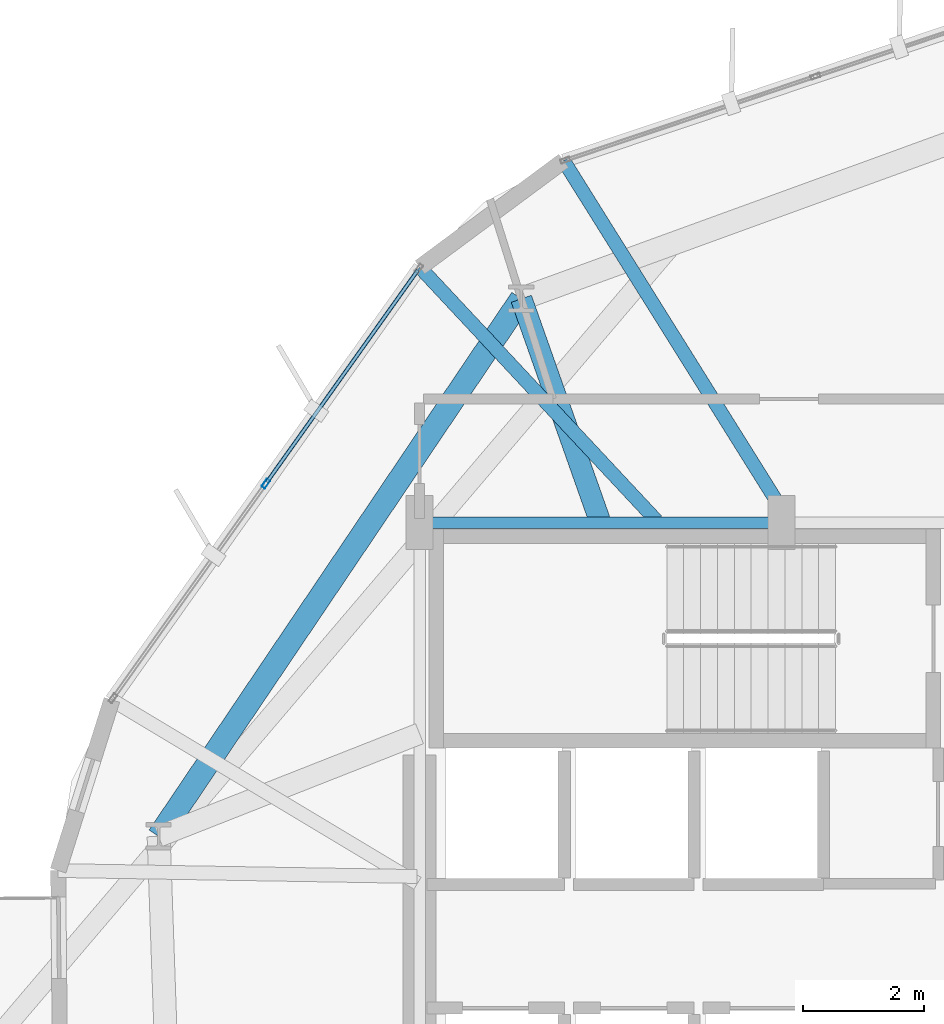
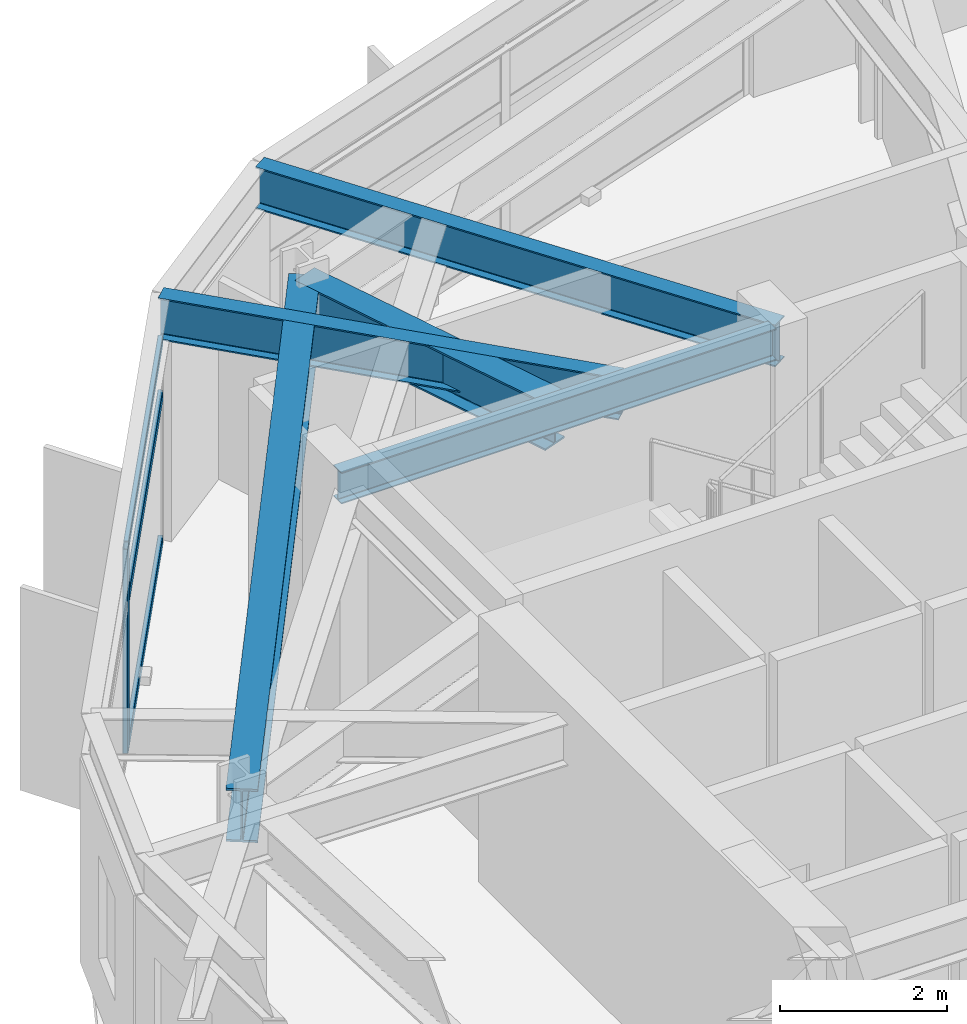
# One storey, part 10 of 27: 5 beams, 4 members, 1 element without a shape of its own.
"""IFC4 building model written with IfcOpenShell, lengths in metres."""

from ifc_helpers import new_model, si_unit, direction, frame, origin, origin_2d, place, context, subcontext, project, spatial, hollow_rectangle, i_section, extrude, material, layer, layer_set, material_profile, profile_set, type_object, element, aggregate, save


model = new_model("IFC4")

# Units and contexts
model_context = context("Model", 3, precision=1e-05, world=origin(), true_north=direction((0.0, 1.0)))
body_context = subcontext(model_context, "Body", "Model", "MODEL_VIEW")
ifc_project = project(units=[si_unit("LENGTHUNIT", "METRE"), si_unit("AREAUNIT", "SQUARE_METRE"), si_unit("VOLUMEUNIT", "CUBIC_METRE"), si_unit("PLANEANGLEUNIT", "RADIAN"), si_unit("MASSUNIT", "GRAM", prefix="KILO")], contexts=[model_context])

# Site, building, storey
site_placement = place(None, origin())
site = spatial("IfcSite", under=ifc_project, at=site_placement, CompositionType="ELEMENT")
building_placement = place(site_placement, origin())
building = spatial("IfcBuilding", under=site, at=building_placement, Name="Soratama Intermodal Tower", CompositionType="ELEMENT")
storey_placement = place(building_placement, frame((0.0, 0.0, 103.0)))
storey = spatial("IfcBuildingStorey", under=building, at=storey_placement, Name="L24", CompositionType="ELEMENT", Elevation=103.0)

# Beams
ifc_material_1 = material(Name="Structural steel ASTM A992 Grade 50", Category="steel")
ifc_material_profile_1 = material_profile(ifc_material_1, i_section(OverallWidth=0.19091796875, OverallDepth=0.4599609375, WebThickness=0.010009765625, FlangeThickness=0.01611328125, FilletRadius=0.010986328125, at=origin_2d()), Name="W18X55")
ifc_profile_set_1 = profile_set([ifc_material_profile_1], Name="Structural steel ASTM A992 Grade 50")
beam_type_1 = type_object("IfcBeamType", Name="BM-FLR-W18X55", PredefinedType="BEAM", material=ifc_profile_set_1)
beam_1_placement = place(storey_placement, frame((38.60009765625, 35.0, 3.3701171875), z_axis=(-1.0, 0.0, 0.0), x_axis=(0.0, -1.0, 0.0)))
element("IfcBeam", 1, at=beam_1_placement, inside=storey, type_object=beam_type_1, Name="BM-L24-CRING-07", PredefinedType="BEAM", context=body_context, shape_type="SweptSolid", body=[
    extrude(i_section(OverallWidth=0.19091796875, OverallDepth=0.4599609375, WebThickness=0.010009765625, FlangeThickness=0.01611328125, FilletRadius=0.010986328125, at=origin_2d()), origin(), (0.0, 0.0, 1.0), 6.0),
])
ifc_material_2 = material(Name="Structural steel ASTM A992 Grade 50", Category="steel")
ifc_material_profile_2 = material_profile(ifc_material_2, i_section(OverallWidth=0.35498046875, OverallDepth=0.695068359375, WebThickness=0.015380859375, FlangeThickness=0.02490234375, FilletRadius=0.01611328125, at=origin_2d()), Name="W27X146")
ifc_profile_set_2 = profile_set([ifc_material_profile_2], Name="Structural steel ASTM A992 Grade 50")
beam_type_2 = type_object("IfcBeamType", Name="BM-RING-W27X146", PredefinedType="BEAM", material=ifc_profile_set_2)
beam_2_placement = place(storey_placement, frame((35.60009765625, 35.0, 3.25244140625), z_axis=(-0.333332697239, 0.942809266475, 0.0), x_axis=(-0.942809266475, -0.333332697239, 0.0)))
element("IfcBeam", 2, at=beam_2_placement, inside=storey, type_object=beam_type_2, Name="BM-L24-RAD-04", PredefinedType="BEAM", context=body_context, shape_type="SweptSolid", body=[
    extrude(i_section(OverallWidth=0.35498046875, OverallDepth=0.695068359375, WebThickness=0.015380859375, FlangeThickness=0.02490234375, FilletRadius=0.01611328125, at=origin_2d()), origin(), (0.0, 0.0, 1.0), 3.93603515625),
])
ifc_material_3 = material(Name="Structural steel ASTM A992 Grade 50", Category="steel")
ifc_material_profile_3 = material_profile(ifc_material_3, i_section(OverallWidth=0.382080078125, OverallDepth=0.779052734375, WebThickness=0.01806640625, FlangeThickness=0.030029296875, FilletRadius=0.01806640625, at=origin_2d()), Name="W30X191")
ifc_profile_set_3 = profile_set([ifc_material_profile_3], Name="Structural steel ASTM A992 Grade 50")
beam_type_3 = type_object("IfcBeamType", Name="BM-RING-W30X191", PredefinedType="BEAM", material=ifc_profile_set_3)
beam_3_placement = place(storey_placement, frame((34.2880859375, 38.7109375, 3.21044921875), z_axis=(-0.559249807749, -0.828999187293, 0.0), x_axis=(0.828999187293, -0.559249807749, 0.0)))
element("IfcBeam", 3, at=beam_3_placement, inside=storey, type_object=beam_type_3, Name="BM-L24-RING-04", PredefinedType="BEAM", context=body_context, shape_type="SweptSolid", body=[
    extrude(i_section(OverallWidth=0.382080078125, OverallDepth=0.779052734375, WebThickness=0.01806640625, FlangeThickness=0.030029296875, FilletRadius=0.01806640625, at=origin_2d()), origin(), (0.0, 0.0, 1.0), 10.75390625),
])
ifc_material_4 = material(Name="Structural steel ASTM A992 Grade 50", Category="steel")
ifc_material_profile_4 = material_profile(ifc_material_4, i_section(OverallWidth=0.22900390625, OverallDepth=0.612060546875, WebThickness=0.011962890625, FlangeThickness=0.01953125, FilletRadius=0.012939453125, at=origin_2d()), Name="W24X84")
ifc_profile_set_4 = profile_set([ifc_material_profile_4], Name="Structural steel ASTM A992 Grade 50")
beam_type_4 = type_object("IfcBeamType", Name="BM-TIE-W24X84", PredefinedType="BEAM", material=ifc_profile_set_4)
beam_4_placement = place(storey_placement, frame((38.721923828125, 35.033935546875, 3.2939453125), z_axis=(-0.530382505052, 0.847758455183, 0.0), x_axis=(-0.847758455183, -0.530382505052, 0.0)))
element("IfcBeam", 4, at=beam_4_placement, inside=storey, type_object=beam_type_4, Name="BM-L24-TIE1-03", PredefinedType="BEAM", context=body_context, shape_type="SweptSolid", body=[
    extrude(i_section(OverallWidth=0.22900390625, OverallDepth=0.612060546875, WebThickness=0.011962890625, FlangeThickness=0.01953125, FilletRadius=0.012939453125, at=origin_2d()), origin(), (0.0, 0.0, 1.0), 7.036376953125),
])
beam_5_placement = place(storey_placement, frame((36.532958984375, 35.029052734375, 3.2939453125), z_axis=(-0.682634212331, 0.730760242594, 0.0), x_axis=(-0.730760242594, -0.682634212331, 0.0)))
element("IfcBeam", 5, at=beam_5_placement, inside=storey, type_object=beam_type_4, Name="BM-L24-TIE0-04", PredefinedType="BEAM", context=body_context, shape_type="SweptSolid", body=[
    extrude(i_section(OverallWidth=0.22900390625, OverallDepth=0.612060546875, WebThickness=0.011962890625, FlangeThickness=0.01953125, FilletRadius=0.012939453125, at=origin_2d()), origin(), (0.0, 0.0, 1.0), 5.752685546875),
])

# Curtain wall, members
ifc_material_5 = material(Name="Double-glazed aluminium curtain wall", Category="aluminium")
ifc_layer = layer(ifc_material_5, 0.159912109375)
ifc_layer_set = layer_set([ifc_layer], Name="Double-glazed aluminium curtain wall")
curtain_wall_type = type_object("IfcCurtainWallType", Name="CW-SYS-3", PredefinedType="NOTDEFINED", material=ifc_layer_set)
curtain_wall_placement = place(storey_placement, origin())
curtain_wall = element("IfcCurtainWall", 6, at=curtain_wall_placement, inside=storey, type_object=curtain_wall_type, Name="L24 Faceted Curtain Wall F04", PredefinedType="NOTDEFINED")
ifc_material_6 = material(Name="Anodised aluminium AA 6063-T6", Category="aluminium")
ifc_material_profile_5 = material_profile(ifc_material_6, hollow_rectangle(XDim=0.070068359375, YDim=0.159912109375, WallThickness=0.0048828125, InnerFilletRadius=0.0048828125, OuterFilletRadius=0.010009765625, at=origin_2d()), Name="CWM160X70X5")
ifc_profile_set_5 = profile_set([ifc_material_profile_5], Name="Anodised aluminium AA 6063-T6")
member_type_1 = type_object("IfcMemberType", Name="MT-CWM-3", PredefinedType="MULLION", material=ifc_profile_set_5)
member_1_placement = place(storey_placement, frame((30.052001953125, 35.646484375, 0.0), z_axis=(0.0, 0.0, 1.0), x_axis=(0.814519150028, -0.580136668585, 0.0)))
member_1 = element("IfcMember", 7, at=member_1_placement, type_object=member_type_1, Name="CW-3 mullion 2", PredefinedType="MULLION", context=body_context, shape_type="SweptSolid", body=[
    extrude(hollow_rectangle(XDim=0.070068359375, YDim=0.159912109375, WallThickness=0.0048828125, InnerFilletRadius=0.0048828125, OuterFilletRadius=0.010009765625, at=origin_2d()), origin(), (0.0, 0.0, 1.0), 2.97900390625),
])
ifc_material_7 = material(Name="Anodised aluminium AA 6063-T6", Category="aluminium")
ifc_material_profile_6 = material_profile(ifc_material_7, hollow_rectangle(XDim=0.06494140625, YDim=0.14990234375, WallThickness=0.0048828125, InnerFilletRadius=0.0048828125, OuterFilletRadius=0.010009765625, at=origin_2d()), Name="CWT150X65X5")
ifc_profile_set_6 = profile_set([ifc_material_profile_6], Name="Anodised aluminium AA 6063-T6")
member_type_2 = type_object("IfcMemberType", Name="TT-CWT-1", PredefinedType="USERDEFINED", material=ifc_profile_set_6)
member_2_placement = place(storey_placement, frame((32.57177734375, 39.184326171875, 0.030029296875), z_axis=(-0.580140102652, -0.814516704123, 0.0), x_axis=(0.814516704123, -0.580140102652, 0.0)))
member_2 = element("IfcMember", 8, at=member_2_placement, type_object=member_type_2, Name="CW-3 transom 1.1", ObjectType="TRANSOM", PredefinedType="USERDEFINED", context=body_context, shape_type="SweptSolid", body=[
    extrude(hollow_rectangle(XDim=0.06494140625, YDim=0.14990234375, WallThickness=0.0048828125, InnerFilletRadius=0.0048828125, OuterFilletRadius=0.010009765625, at=origin_2d()), origin(), (0.0, 0.0, 1.0), 4.3134765625),
])
member_3_placement = place(storey_placement, frame((32.57177734375, 39.184326171875, 2.14990234375), z_axis=(-0.580140102652, -0.814516704123, 0.0), x_axis=(0.814516704123, -0.580140102652, 0.0)))
member_3 = element("IfcMember", 9, at=member_3_placement, type_object=member_type_2, Name="CW-3 transom 1.2", ObjectType="TRANSOM", PredefinedType="USERDEFINED", context=body_context, shape_type="SweptSolid", body=[
    extrude(hollow_rectangle(XDim=0.06494140625, YDim=0.14990234375, WallThickness=0.0048828125, InnerFilletRadius=0.0048828125, OuterFilletRadius=0.010009765625, at=origin_2d()), origin(), (0.0, 0.0, 1.0), 4.3134765625),
])
member_4_placement = place(storey_placement, frame((32.57177734375, 39.184326171875, 2.948974609375), z_axis=(-0.580140102652, -0.814516704123, 0.0), x_axis=(0.814516704123, -0.580140102652, 0.0)))
member_4 = element("IfcMember", 10, at=member_4_placement, type_object=member_type_2, Name="CW-3 transom 1.3", ObjectType="TRANSOM", PredefinedType="USERDEFINED", context=body_context, shape_type="SweptSolid", body=[
    extrude(hollow_rectangle(XDim=0.06494140625, YDim=0.14990234375, WallThickness=0.0048828125, InnerFilletRadius=0.0048828125, OuterFilletRadius=0.010009765625, at=origin_2d()), origin(), (0.0, 0.0, 1.0), 4.3134765625),
])
aggregate(curtain_wall, [member_1, member_2, member_3, member_4])

save(model, "model.ifc")
